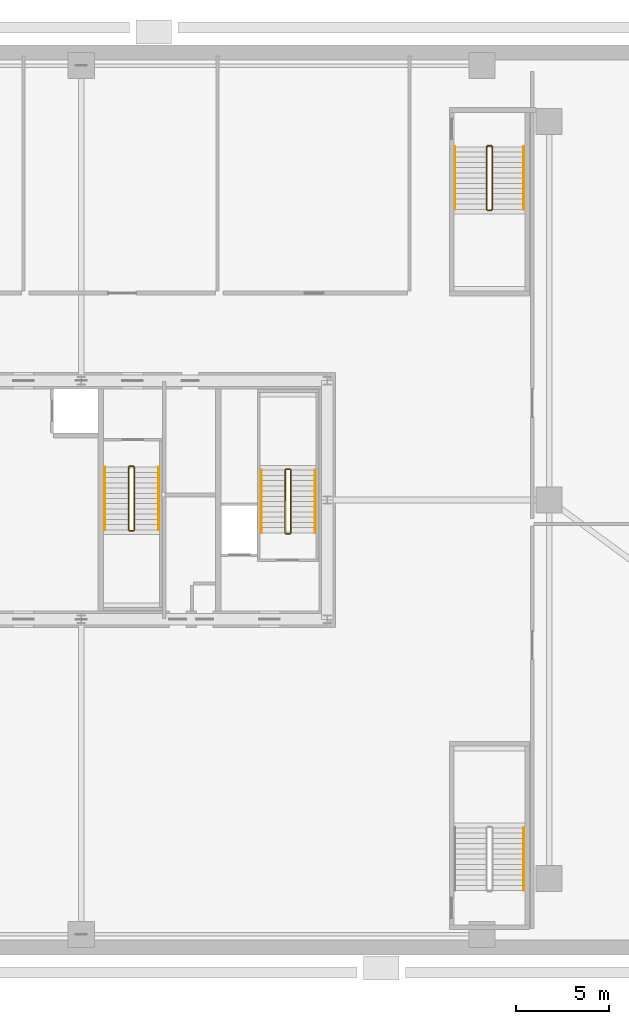
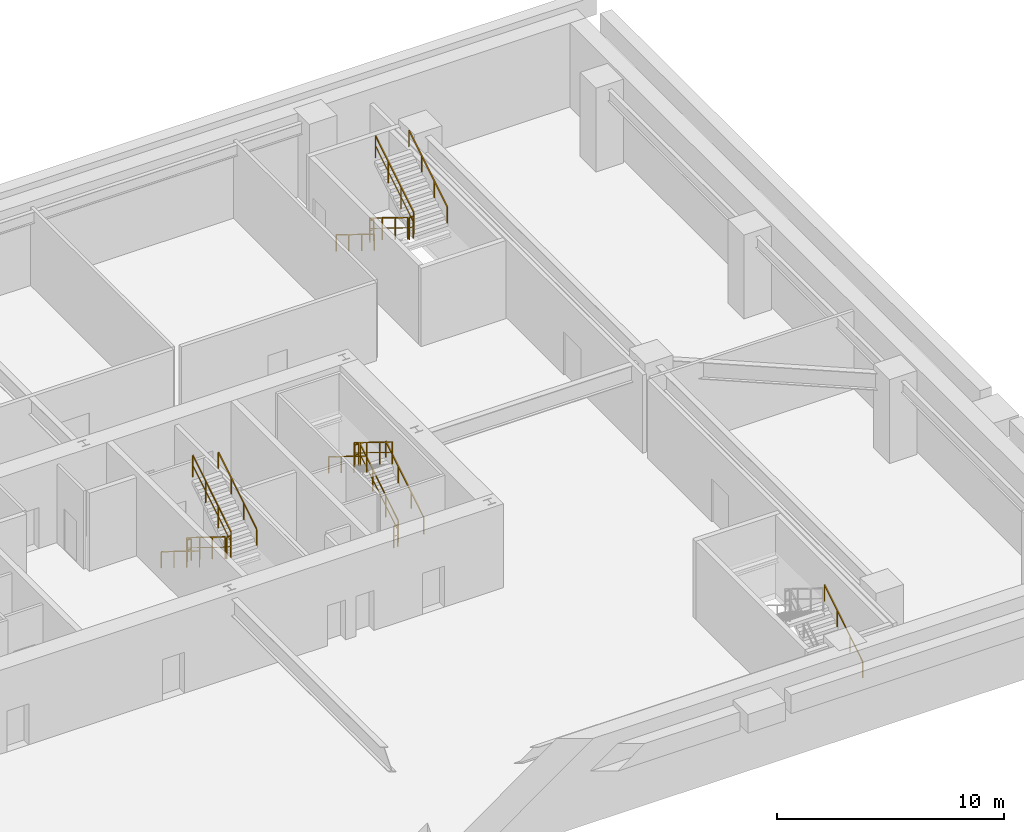
# One storey, part 9 of 9: 19 railings.
"""IFC4 building model written with IfcOpenShell, lengths in metres."""

from ifc_helpers import new_model, si_unit, direction, frame, origin, origin_2d, place, context, subcontext, project, spatial, rectangle, extrude, source, transform, mapped, material, layer, layer_set, type_object, element, save


model = new_model("IFC4")

# Units and contexts
model_context = context("Model", 3, precision=1e-05, world=origin(), true_north=direction((0.0, 1.0)))
body_context = subcontext(model_context, "Body", "Model", "MODEL_VIEW")
ifc_project = project(units=[si_unit("LENGTHUNIT", "METRE"), si_unit("AREAUNIT", "SQUARE_METRE"), si_unit("VOLUMEUNIT", "CUBIC_METRE"), si_unit("PLANEANGLEUNIT", "RADIAN"), si_unit("MASSUNIT", "GRAM", prefix="KILO"), si_unit("THERMODYNAMICTEMPERATUREUNIT", "KELVIN"), si_unit("POWERUNIT", "WATT")], contexts=[model_context])

# Site, building, storey
site_placement = place(None, origin())
site = spatial("IfcSite", under=ifc_project, at=site_placement, CompositionType="ELEMENT")
building_placement = place(site_placement, origin())
building = spatial("IfcBuilding", under=site, at=building_placement, Name="Yuzanri Waterfront Tower", CompositionType="ELEMENT")
storey_placement = place(building_placement, frame((0.0, 0.0, -4.5)))
storey = spatial("IfcBuildingStorey", under=building, at=storey_placement, Name="B01", CompositionType="ELEMENT", Elevation=-4.5)

# Railings
ifc_material_1 = material(Name="Painted Galvanized Fire Steel", Category="steel")
ifc_layer_1 = layer(ifc_material_1, 0.06005859375)
ifc_layer_set_1 = layer_set([ifc_layer_1], Name="Painted Galvanized Fire Steel")
railing_type_1 = type_object("IfcRailingType", Name="Painted Steel Stairwell Guardrail 1120", PredefinedType="GUARDRAIL", material=ifc_layer_set_1)
shared_shape_1 = source(origin(), body_context, "Body", "SweptSolid", [
    extrude(rectangle(XDim=0.050048828125, YDim=0.050048828125, at=origin_2d()), frame((0.0, 0.0, 1.1748046875), z_axis=(0.0, 0.850606129759, 0.525803396734), x_axis=(-1.0, 0.0, 0.0)), (0.0, 0.0, 1.0), 3.949951171875),
    extrude(rectangle(XDim=0.035888671875, YDim=0.030029296875, at=origin_2d()), frame((0.0, 0.0, 0.6240234375), z_axis=(0.0, 0.850606129759, 0.525803396734), x_axis=(-1.0, 0.0, 0.0)), (0.0, 0.0, 1.0), 3.949951171875),
    extrude(rectangle(XDim=0.0458984375, YDim=0.0458984375, at=origin_2d()), origin(), (0.0, 0.0, 1.0), 1.14990234375),
    extrude(rectangle(XDim=0.0458984375, YDim=0.0458984375, at=origin_2d()), frame((0.0, 1.119873046875, 0.6923828125)), (0.0, 0.0, 1.0), 1.14990234375),
    extrude(rectangle(XDim=0.0458984375, YDim=0.0458984375, at=origin_2d()), frame((0.0, 2.239990234375, 1.384521484375)), (0.0, 0.0, 1.0), 1.14990234375),
    extrude(rectangle(XDim=0.0458984375, YDim=0.0458984375, at=origin_2d()), frame((0.0, 3.35986328125, 2.076904296875)), (0.0, 0.0, 1.0), 1.14990234375),
])
railing_1_placement = place(storey_placement, frame((48.25, 24.0400390625, 0.173095703125)))
element("IfcRailing", 1, at=railing_1_placement, inside=storey, type_object=railing_type_1, Name="B01 ST-02 stair guard 1", PredefinedType="GUARDRAIL", context=body_context, shape_type="MappedRepresentation", body=[
    mapped(shared_shape_1, transform((0.0, 0.0, 0.0), scale=1.0)),
])
shared_shape_2 = source(origin(), body_context, "Body", "SweptSolid", [
    extrude(rectangle(XDim=0.050048828125, YDim=0.050048828125, at=origin_2d()), frame((0.0, 0.0, 1.1748046875), z_axis=(-1.0, 0.0, 0.0), x_axis=(0.0, -1.0, 0.0)), (0.0, 0.0, 1.0), 0.199951171875),
    extrude(rectangle(XDim=0.035888671875, YDim=0.030029296875, at=origin_2d()), frame((0.0, 0.0, 0.6240234375), z_axis=(-1.0, 0.0, 0.0), x_axis=(0.0, -1.0, 0.0)), (0.0, 0.0, 1.0), 0.199951171875),
    extrude(rectangle(XDim=0.0458984375, YDim=0.0458984375, at=origin_2d()), origin(), (0.0, 0.0, 1.0), 1.14990234375),
    extrude(rectangle(XDim=0.0458984375, YDim=0.0458984375, at=origin_2d()), frame((-0.199951171875, 0.0, 0.0)), (0.0, 0.0, 1.0), 1.14990234375),
])
for number, where, name in (
    (2, (48.199951171875, 27.449951171875, 2.25), "B01 ST-02 stair guard 2"),
    (3, (48.199951171875, 23.989990234375, 0.0), "B01 ST-02 stair guard 4"),
):
    element("IfcRailing", number, at=place(storey_placement, frame(where)), inside=storey, type_object=railing_type_1, Name=name, PredefinedType="GUARDRAIL", context=body_context, shape_type="MappedRepresentation", body=[
        mapped(shared_shape_2, transform((0.0, 0.0, 0.0), scale=1.0)),
    ])
shared_shape_3 = source(origin(), body_context, "Body", "SweptSolid", [
    extrude(rectangle(XDim=0.050048828125, YDim=0.050048828125, at=origin_2d()), frame((0.0, 0.0, 1.1748046875), z_axis=(0.0, -0.850606129759, 0.525803396734), x_axis=(1.0, 0.0, 0.0)), (0.0, 0.0, 1.0), 3.949951171875),
    extrude(rectangle(XDim=0.035888671875, YDim=0.030029296875, at=origin_2d()), frame((0.0, 0.0, 0.6240234375), z_axis=(0.0, -0.850606129759, 0.525803396734), x_axis=(1.0, 0.0, 0.0)), (0.0, 0.0, 1.0), 3.949951171875),
    extrude(rectangle(XDim=0.0458984375, YDim=0.0458984375, at=origin_2d()), origin(), (0.0, 0.0, 1.0), 1.14990234375),
    extrude(rectangle(XDim=0.0458984375, YDim=0.0458984375, at=origin_2d()), frame((0.0, -1.119873046875, 0.6923828125)), (0.0, 0.0, 1.0), 1.14990234375),
    extrude(rectangle(XDim=0.0458984375, YDim=0.0458984375, at=origin_2d()), frame((0.0, -2.239990234375, 1.384521484375)), (0.0, 0.0, 1.0), 1.14990234375),
    extrude(rectangle(XDim=0.0458984375, YDim=0.0458984375, at=origin_2d()), frame((0.0, -3.35986328125, 2.076904296875)), (0.0, 0.0, 1.0), 1.14990234375),
])
railing_2_placement = place(storey_placement, frame((47.949951171875, 27.39990234375, 2.423095703125)))
element("IfcRailing", 4, at=railing_2_placement, inside=storey, type_object=railing_type_1, Name="B01 ST-02 stair guard 3", PredefinedType="GUARDRAIL", context=body_context, shape_type="MappedRepresentation", body=[
    mapped(shared_shape_3, transform((0.0, 0.0, 0.0), scale=1.0)),
])
ifc_material_2 = material(Name="Anodized Architectural Bronze", Category="metal")
ifc_layer_2 = layer(ifc_material_2, 0.050048828125)
ifc_layer_set_2 = layer_set([ifc_layer_2], Name="Anodized Architectural Bronze")
railing_type_2 = type_object("IfcRailingType", Name="Brushed Bronze Stair Pitch Handrail 920", PredefinedType="HANDRAIL", material=ifc_layer_set_2)
shared_shape_4 = source(origin(), body_context, "Body", "SweptSolid", [
    extrude(rectangle(XDim=0.050048828125, YDim=0.050048828125, at=origin_2d()), frame((0.0, 0.0, 0.875), z_axis=(0.0, 0.850606129759, 0.525803396734), x_axis=(-1.0, 0.0, 0.0)), (0.0, 0.0, 1.0), 3.949951171875),
    extrude(rectangle(XDim=0.0458984375, YDim=0.0458984375, at=origin_2d()), origin(), (0.0, 0.0, 1.0), 0.849853515625),
    extrude(rectangle(XDim=0.0458984375, YDim=0.0458984375, at=origin_2d()), frame((0.0, 1.119873046875, 0.6923828125)), (0.0, 0.0, 1.0), 0.849853515625),
    extrude(rectangle(XDim=0.0458984375, YDim=0.0458984375, at=origin_2d()), frame((0.0, 2.239990234375, 1.384521484375)), (0.0, 0.0, 1.0), 0.849853515625),
    extrude(rectangle(XDim=0.0458984375, YDim=0.0458984375, at=origin_2d()), frame((0.0, 3.35986328125, 2.076904296875)), (0.0, 0.0, 1.0), 0.849853515625),
])
for number, where, name in (
    (5, (49.550048828125, 24.0400390625, 0.173095703125), "B01 ST-02 stair handrail 1"),
    (6, (60.75, 4.85009765625, 0.173095703125), "B01 PST-02 stair handrail 1"),
):
    element("IfcRailing", number, at=place(storey_placement, frame(where)), inside=storey, type_object=railing_type_2, Name=name, PredefinedType="HANDRAIL", context=body_context, shape_type="MappedRepresentation", body=[
        mapped(shared_shape_4, transform((0.0, 0.0, 0.0), scale=1.0)),
    ])
shared_shape_5 = source(origin(), body_context, "Body", "SweptSolid", [
    extrude(rectangle(XDim=0.050048828125, YDim=0.050048828125, at=origin_2d()), frame((0.0, 0.0, 0.875), z_axis=(0.0, -0.850606129759, 0.525803396734), x_axis=(1.0, 0.0, 0.0)), (0.0, 0.0, 1.0), 3.949951171875),
    extrude(rectangle(XDim=0.0458984375, YDim=0.0458984375, at=origin_2d()), origin(), (0.0, 0.0, 1.0), 0.849853515625),
    extrude(rectangle(XDim=0.0458984375, YDim=0.0458984375, at=origin_2d()), frame((0.0, -1.119873046875, 0.6923828125)), (0.0, 0.0, 1.0), 0.849853515625),
    extrude(rectangle(XDim=0.0458984375, YDim=0.0458984375, at=origin_2d()), frame((0.0, -2.239990234375, 1.384521484375)), (0.0, 0.0, 1.0), 0.849853515625),
    extrude(rectangle(XDim=0.0458984375, YDim=0.0458984375, at=origin_2d()), frame((0.0, -3.35986328125, 2.076904296875)), (0.0, 0.0, 1.0), 0.849853515625),
])
railing_3_placement = place(storey_placement, frame((46.64990234375, 27.39990234375, 2.423095703125)))
element("IfcRailing", 7, at=railing_3_placement, inside=storey, type_object=railing_type_2, Name="B01 ST-02 stair handrail 2", PredefinedType="HANDRAIL", context=body_context, shape_type="MappedRepresentation", body=[
    mapped(shared_shape_5, transform((0.0, 0.0, 0.0), scale=1.0)),
])
shared_shape_6 = source(origin(), body_context, "Body", "SweptSolid", [
    extrude(rectangle(XDim=0.050048828125, YDim=0.050048828125, at=origin_2d()), frame((0.0, 0.0, 1.1748046875), z_axis=(0.0, -0.850623216509, 0.525775754039), x_axis=(1.0, 0.0, 0.0)), (0.0, 0.0, 1.0), 3.9501953125),
    extrude(rectangle(XDim=0.035888671875, YDim=0.030029296875, at=origin_2d()), frame((0.0, 0.0, 0.6240234375), z_axis=(0.0, -0.850623216509, 0.525775754039), x_axis=(1.0, 0.0, 0.0)), (0.0, 0.0, 1.0), 3.9501953125),
    extrude(rectangle(XDim=0.0458984375, YDim=0.0458984375, at=origin_2d()), origin(), (0.0, 0.0, 1.0), 1.14990234375),
    extrude(rectangle(XDim=0.0458984375, YDim=0.0458984375, at=origin_2d()), frame((0.0, -1.1201171875, 0.6923828125)), (0.0, 0.0, 1.0), 1.14990234375),
    extrude(rectangle(XDim=0.0458984375, YDim=0.0458984375, at=origin_2d()), frame((0.0, -2.239990234375, 1.384521484375)), (0.0, 0.0, 1.0), 1.14990234375),
    extrude(rectangle(XDim=0.0458984375, YDim=0.0458984375, at=origin_2d()), frame((0.0, -3.360107421875, 2.076904296875)), (0.0, 0.0, 1.0), 1.14990234375),
])
for number, where, name in (
    (8, (39.550048828125, 27.56005859375, 0.173095703125), "B01 ST-03 stair guard 1"),
    (9, (58.75, 44.75, 0.173095703125), "B01 PST-03 stair guard 1"),
):
    element("IfcRailing", number, at=place(storey_placement, frame(where)), inside=storey, type_object=railing_type_1, Name=name, PredefinedType="GUARDRAIL", context=body_context, shape_type="MappedRepresentation", body=[
        mapped(shared_shape_6, transform((0.0, 0.0, 0.0), scale=1.0)),
    ])
shared_shape_7 = source(origin(), body_context, "Body", "SweptSolid", [
    extrude(rectangle(XDim=0.050048828125, YDim=0.050048828125, at=origin_2d()), frame((0.0, 0.0, 1.1748046875), z_axis=(1.0, 0.0, 0.0), x_axis=(0.0, 1.0, 0.0)), (0.0, 0.0, 1.0), 0.199951171875),
    extrude(rectangle(XDim=0.035888671875, YDim=0.030029296875, at=origin_2d()), frame((0.0, 0.0, 0.6240234375), z_axis=(1.0, 0.0, 0.0), x_axis=(0.0, 1.0, 0.0)), (0.0, 0.0, 1.0), 0.199951171875),
    extrude(rectangle(XDim=0.0458984375, YDim=0.0458984375, at=origin_2d()), origin(), (0.0, 0.0, 1.0), 1.14990234375),
    extrude(rectangle(XDim=0.0458984375, YDim=0.0458984375, at=origin_2d()), frame((0.199951171875, 0.0, 0.0)), (0.0, 0.0, 1.0), 1.14990234375),
])
for number, where, name in (
    (10, (39.60009765625, 24.14990234375, 2.25), "B01 ST-03 stair guard 2"),
    (11, (39.60009765625, 27.610107421875, 0.0), "B01 ST-03 stair guard 4"),
    (12, (58.800048828125, 41.340087890625, 2.25), "B01 PST-03 stair guard 2"),
    (13, (58.800048828125, 44.800048828125, 0.0), "B01 PST-03 stair guard 4"),
):
    element("IfcRailing", number, at=place(storey_placement, frame(where)), inside=storey, type_object=railing_type_1, Name=name, PredefinedType="GUARDRAIL", context=body_context, shape_type="MappedRepresentation", body=[
        mapped(shared_shape_7, transform((0.0, 0.0, 0.0), scale=1.0)),
    ])
shared_shape_8 = source(origin(), body_context, "Body", "SweptSolid", [
    extrude(rectangle(XDim=0.050048828125, YDim=0.050048828125, at=origin_2d()), frame((0.0, 0.0, 1.1748046875), z_axis=(0.0, 0.850623216509, 0.525775754039), x_axis=(-1.0, 0.0, 0.0)), (0.0, 0.0, 1.0), 3.9501953125),
    extrude(rectangle(XDim=0.035888671875, YDim=0.030029296875, at=origin_2d()), frame((0.0, 0.0, 0.6240234375), z_axis=(0.0, 0.850623216509, 0.525775754039), x_axis=(-1.0, 0.0, 0.0)), (0.0, 0.0, 1.0), 3.9501953125),
    extrude(rectangle(XDim=0.0458984375, YDim=0.0458984375, at=origin_2d()), origin(), (0.0, 0.0, 1.0), 1.14990234375),
    extrude(rectangle(XDim=0.0458984375, YDim=0.0458984375, at=origin_2d()), frame((0.0, 1.1201171875, 0.6923828125)), (0.0, 0.0, 1.0), 1.14990234375),
    extrude(rectangle(XDim=0.0458984375, YDim=0.0458984375, at=origin_2d()), frame((0.0, 2.239990234375, 1.384521484375)), (0.0, 0.0, 1.0), 1.14990234375),
    extrude(rectangle(XDim=0.0458984375, YDim=0.0458984375, at=origin_2d()), frame((0.0, 3.360107421875, 2.076904296875)), (0.0, 0.0, 1.0), 1.14990234375),
])
for number, where, name in (
    (14, (39.85009765625, 24.199951171875, 2.423095703125), "B01 ST-03 stair guard 3"),
    (15, (59.050048828125, 41.389892578125, 2.423095703125), "B01 PST-03 stair guard 3"),
):
    element("IfcRailing", number, at=place(storey_placement, frame(where)), inside=storey, type_object=railing_type_1, Name=name, PredefinedType="GUARDRAIL", context=body_context, shape_type="MappedRepresentation", body=[
        mapped(shared_shape_8, transform((0.0, 0.0, 0.0), scale=1.0)),
    ])
shared_shape_9 = source(origin(), body_context, "Body", "SweptSolid", [
    extrude(rectangle(XDim=0.050048828125, YDim=0.050048828125, at=origin_2d()), frame((0.0, 0.0, 0.875), z_axis=(0.0, -0.850623216509, 0.525775754039), x_axis=(1.0, 0.0, 0.0)), (0.0, 0.0, 1.0), 3.9501953125),
    extrude(rectangle(XDim=0.0458984375, YDim=0.0458984375, at=origin_2d()), origin(), (0.0, 0.0, 1.0), 0.849853515625),
    extrude(rectangle(XDim=0.0458984375, YDim=0.0458984375, at=origin_2d()), frame((0.0, -1.1201171875, 0.6923828125)), (0.0, 0.0, 1.0), 0.849853515625),
    extrude(rectangle(XDim=0.0458984375, YDim=0.0458984375, at=origin_2d()), frame((0.0, -2.239990234375, 1.384521484375)), (0.0, 0.0, 1.0), 0.849853515625),
    extrude(rectangle(XDim=0.0458984375, YDim=0.0458984375, at=origin_2d()), frame((0.0, -3.360107421875, 2.076904296875)), (0.0, 0.0, 1.0), 0.849853515625),
])
for number, where, name in (
    (16, (38.25, 27.56005859375, 0.173095703125), "B01 ST-03 stair handrail 1"),
    (17, (57.050048828125, 44.75, 0.173095703125), "B01 PST-03 stair handrail 1"),
):
    element("IfcRailing", number, at=place(storey_placement, frame(where)), inside=storey, type_object=railing_type_2, Name=name, PredefinedType="HANDRAIL", context=body_context, shape_type="MappedRepresentation", body=[
        mapped(shared_shape_9, transform((0.0, 0.0, 0.0), scale=1.0)),
    ])
shared_shape_10 = source(origin(), body_context, "Body", "SweptSolid", [
    extrude(rectangle(XDim=0.050048828125, YDim=0.050048828125, at=origin_2d()), frame((0.0, 0.0, 0.875), z_axis=(0.0, 0.850623216509, 0.525775754039), x_axis=(-1.0, 0.0, 0.0)), (0.0, 0.0, 1.0), 3.9501953125),
    extrude(rectangle(XDim=0.0458984375, YDim=0.0458984375, at=origin_2d()), origin(), (0.0, 0.0, 1.0), 0.849853515625),
    extrude(rectangle(XDim=0.0458984375, YDim=0.0458984375, at=origin_2d()), frame((0.0, 1.1201171875, 0.6923828125)), (0.0, 0.0, 1.0), 0.849853515625),
    extrude(rectangle(XDim=0.0458984375, YDim=0.0458984375, at=origin_2d()), frame((0.0, 2.239990234375, 1.384521484375)), (0.0, 0.0, 1.0), 0.849853515625),
    extrude(rectangle(XDim=0.0458984375, YDim=0.0458984375, at=origin_2d()), frame((0.0, 3.360107421875, 2.076904296875)), (0.0, 0.0, 1.0), 0.849853515625),
])
for number, where, name in (
    (18, (41.14990234375, 24.199951171875, 2.423095703125), "B01 ST-03 stair handrail 2"),
    (19, (60.75, 41.389892578125, 2.423095703125), "B01 PST-03 stair handrail 2"),
):
    element("IfcRailing", number, at=place(storey_placement, frame(where)), inside=storey, type_object=railing_type_2, Name=name, PredefinedType="HANDRAIL", context=body_context, shape_type="MappedRepresentation", body=[
        mapped(shared_shape_10, transform((0.0, 0.0, 0.0), scale=1.0)),
    ])

save(model, "model.ifc")
